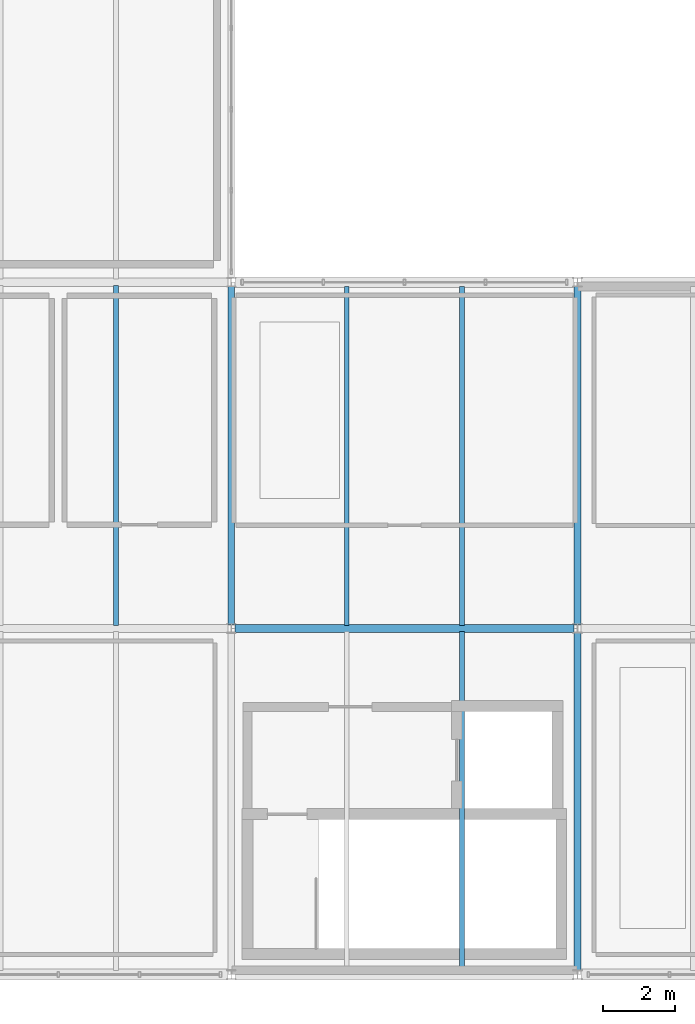
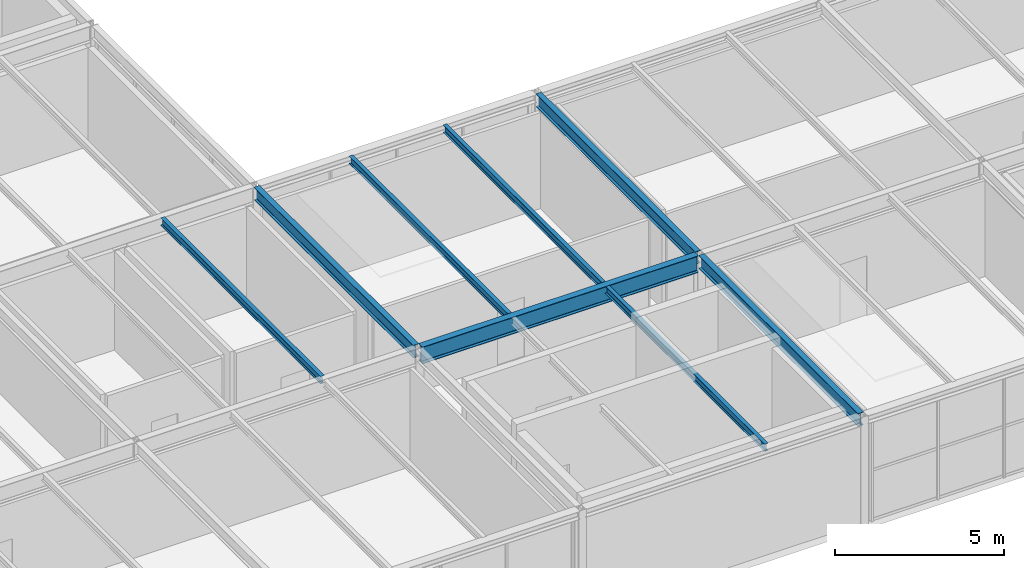
# One storey, part 11 of 33: 8 beams.
"""IFC4 building model written with IfcOpenShell, lengths in metres."""

import ifcopenshell
import ifcopenshell.guid

model = None  # the IFC model being written
_history = None  # IfcOwnerHistory: only IFC2X3 demands one
_inside = {}  # id of a spatial element -> (the spatial element, [elements in it])
_under = {}  # id of a project, library or spatial element -> (it, [spatial elements below it])
_declared = {}  # id of a project -> (the project, [libraries it declares])
_typed = {}  # id of a type object -> (the type object, [elements of that type])
_made_of = {}  # id of a material, layer set ... -> (it, [elements and type objects made of it])


def new_model(schema):
    """Start an empty IFC model of exactly this schema.

    Asked for "IFC4X3", IfcOpenShell would pick the latest addendum, in which some entities
    have other attributes; the version numbers below select the first issue.
    IFC2X3 requires an IfcOwnerHistory on every rooted entity: one is made here for all.
    """
    global model, _history
    if schema == "IFC4X3":
        model = ifcopenshell.file(schema_version=(4, 3, 0, 0))
    else:
        model = ifcopenshell.file(schema=schema)
    _inside.clear()
    _under.clear()
    _declared.clear()
    _typed.clear()
    _made_of.clear()
    _history = None
    if model.schema == "IFC2X3":
        org = make("IfcOrganization", Name="unknown")
        user = make(
            "IfcPersonAndOrganization",
            ThePerson=make("IfcPerson", FamilyName="unknown"),
            TheOrganization=org,
        )
        app = make(
            "IfcApplication",
            ApplicationDeveloper=org,
            Version="unknown",
            ApplicationFullName="unknown",
            ApplicationIdentifier="unknown",
        )
        _history = make(
            "IfcOwnerHistory",
            OwningUser=user,
            OwningApplication=app,
            ChangeAction="ADDED",
            CreationDate=0,
        )
    return model


def make(cls, **values):
    """One entity of the class cls with the attributes given. An attribute that is None is left unset."""
    return model.create_entity(
        cls, **{name: value for name, value in values.items() if value is not None}
    )


def rooted(cls, **values):
    """An entity with a GlobalId (a new one), such as an element, a storey or a relation."""
    return make(cls, GlobalId=ifcopenshell.guid.new(), OwnerHistory=_history, **values)


def si_unit(unit_type, name, prefix=None):
    """IfcSIUnit, for example si_unit("LENGTHUNIT", "METRE", prefix="MILLI")."""
    return make("IfcSIUnit", UnitType=unit_type, Prefix=prefix, Name=name)


def assignment(units):
    """IfcUnitAssignment: the units of a project."""
    return None if units is None else make("IfcUnitAssignment", Units=units)


def point(xyz):
    """IfcCartesianPoint."""
    return None if xyz is None else make("IfcCartesianPoint", Coordinates=xyz)


def direction(xyz):
    """IfcDirection."""
    return None if xyz is None else make("IfcDirection", DirectionRatios=xyz)


def frame(location, z_axis=None, x_axis=None):
    """IfcAxis2Placement3D, a coordinate frame: its origin and axes. An axis left out is left unset."""
    return make(
        "IfcAxis2Placement3D",
        Location=point(location),
        Axis=direction(z_axis),
        RefDirection=direction(x_axis),
    )


def frame_2d(location, x_axis=None):
    """IfcAxis2Placement2D, a coordinate frame in the plane: its origin and x axis."""
    return make(
        "IfcAxis2Placement2D", Location=point(location), RefDirection=direction(x_axis)
    )


def origin():
    """The frame at (0, 0, 0) with its axes left unset."""
    return frame((0.0, 0.0, 0.0))


def origin_2d():
    """The frame at (0, 0) in the plane with its x axis left unset."""
    return frame_2d((0.0, 0.0))


def place(relative_to, where):
    """IfcLocalPlacement: puts the frame where relative to a parent placement (None: the world)."""
    return make(
        "IfcLocalPlacement", PlacementRelTo=relative_to, RelativePlacement=where
    )


def context(
    kind, dimensions, precision=None, world=None, true_north=None, identifier=None
):
    """IfcGeometricRepresentationContext, for example the 3D "Model" context."""
    return make(
        "IfcGeometricRepresentationContext",
        ContextIdentifier=identifier,
        ContextType=kind,
        CoordinateSpaceDimension=dimensions,
        Precision=precision,
        WorldCoordinateSystem=world,
        TrueNorth=true_north,
    )


def subcontext(parent, identifier, kind, view, scale=None):
    """IfcGeometricRepresentationSubContext, for example "Body" below "Model"."""
    return make(
        "IfcGeometricRepresentationSubContext",
        ContextIdentifier=identifier,
        ContextType=kind,
        ParentContext=parent,
        TargetScale=scale,
        TargetView=view,
    )


def project(units=None, contexts=None):
    """IfcProject with its units and contexts."""
    return rooted(
        "IfcProject",
        Name="project",
        RepresentationContexts=contexts,
        UnitsInContext=assignment(units),
    )


def spatial(cls, under=None, at=None, **own):
    """A site, building, storey or space (cls), placed at a placement, below another one or the project."""
    s = rooted(cls, ObjectPlacement=at, **own)
    if under is not None:
        _under.setdefault(under.id(), (under, []))[1].append(s)
    return s


def profile(cls, at=None, kind="AREA", **sizes):
    """A parametric profile (cls). Its sizes go by their IFC names, for example OverallWidth=200.0."""
    return make(cls, ProfileType=kind, Position=at, **sizes)


def i_section(**sizes):
    """IfcIShapeProfileDef."""
    return profile("IfcIShapeProfileDef", **sizes)


def extrude(swept, where, along, depth):
    """IfcExtrudedAreaSolid: the profile swept, set in the frame where, extruded along a direction by depth."""
    return make(
        "IfcExtrudedAreaSolid",
        SweptArea=swept,
        Position=where,
        ExtrudedDirection=direction(along),
        Depth=depth,
    )


def shape(context_of_items, identifier, shape_type, items):
    """IfcShapeRepresentation: the items that make up one representation, for example the "Body"."""
    return make(
        "IfcShapeRepresentation",
        ContextOfItems=context_of_items,
        RepresentationIdentifier=identifier,
        RepresentationType=shape_type,
        Items=items,
    )


def material(Name=None, Category=None):
    """IfcMaterial."""
    return make("IfcMaterial", Name=Name, Category=Category)


def material_profile(
    of_material, cross_section, Name=None, Category=None, Priority=None
):
    """IfcMaterialProfile: a cross section and its material."""
    return make(
        "IfcMaterialProfile",
        Name=Name,
        Material=of_material,
        Profile=cross_section,
        Priority=Priority,
        Category=Category,
    )


def profile_set(profiles, Name=None, composite=None):
    """IfcMaterialProfileSet."""
    return make(
        "IfcMaterialProfileSet",
        Name=Name,
        MaterialProfiles=profiles,
        CompositeProfile=composite,
    )


def made_of(thing, what):
    """Note that an element or type object is made of a material, layer set ...; save() writes the relation."""
    if what is not None:
        _made_of.setdefault(what.id(), (what, []))[1].append(thing)
    return thing


def type_object(cls, material=None, **own):
    """A type object (cls), such as IfcWallType, which elements share."""
    return made_of(rooted(cls, **own), material)


def element(
    cls,
    number,
    at=None,
    inside=None,
    cuts=None,
    type_object=None,
    material=None,
    context=None,
    identifier="Body",
    shape_type=None,
    held_by="IfcProductDefinitionShape",
    body=None,
    shapes=None,
    **own,
):
    """One element of the class cls, such as IfcWall. Its Tag is "e" and its number.

    at: its placement. inside: the storey or other place that contains it. cuts: it is an
    opening in that element (IfcRelVoidsElement). A single representation is given by context,
    identifier, shape_type and body (its items); several are given by shapes. held_by: the class
    of the entity that holds the representations. save() writes the other relations.
    """
    e = rooted(cls, Tag="e%d" % number, ObjectPlacement=at, **own)
    if body is not None:
        shapes = [shape(context, identifier, shape_type, body)]
    if shapes is not None:
        e.Representation = make(held_by, Representations=shapes)
    if inside is not None:
        _inside.setdefault(inside.id(), (inside, []))[1].append(e)
    if cuts is not None:
        rooted(
            "IfcRelVoidsElement", RelatingBuildingElement=cuts, RelatedOpeningElement=e
        )
    if type_object is not None:
        _typed.setdefault(type_object.id(), (type_object, []))[1].append(e)
    return made_of(e, material)


def aggregate(whole, parts):
    """IfcRelAggregates: a whole, such as a stair, and the parts it consists of."""
    return rooted("IfcRelAggregates", RelatingObject=whole, RelatedObjects=parts)


def save(model, path):
    """Write the relations noted so far, then the file.

    IfcRelAggregates (storeys below a building ...), IfcRelContainedInSpatialStructure (elements
    in a storey), IfcRelDefinesByType, IfcRelAssociatesMaterial and IfcRelDeclares: one each for
    every whole, place, type object, material and project.
    """
    for whole, parts in _under.values():
        aggregate(whole, parts)
    for where, things in _inside.values():
        rooted(
            "IfcRelContainedInSpatialStructure",
            RelatedElements=things,
            RelatingStructure=where,
        )
    for kind, things in _typed.values():
        rooted("IfcRelDefinesByType", RelatedObjects=things, RelatingType=kind)
    for what, things in _made_of.values():
        rooted("IfcRelAssociatesMaterial", RelatedObjects=things, RelatingMaterial=what)
    for by, libraries in _declared.values():
        rooted("IfcRelDeclares", RelatingContext=by, RelatedDefinitions=libraries)
    model.write(path)


model = new_model("IFC4")

# Units and contexts
model_context = context("Model", 3, precision=1e-05, world=origin(), true_north=direction((0.0, 1.0)))
body_context = subcontext(model_context, "Body", "Model", "MODEL_VIEW")
ifc_project = project(units=[si_unit("LENGTHUNIT", "METRE"), si_unit("AREAUNIT", "SQUARE_METRE"), si_unit("VOLUMEUNIT", "CUBIC_METRE"), si_unit("PLANEANGLEUNIT", "RADIAN"), si_unit("MASSUNIT", "GRAM", prefix="KILO")], contexts=[model_context])

# Site, building, storey
site_placement = place(None, origin())
site = spatial("IfcSite", under=ifc_project, at=site_placement, CompositionType="ELEMENT")
building_placement = place(site_placement, origin())
building = spatial("IfcBuilding", under=site, at=building_placement, Name="Coralgate Yard Interchange", CompositionType="ELEMENT")
storey_placement = place(building_placement, frame((0.0, 0.0, 23.10009765625)))
storey = spatial("IfcBuildingStorey", under=building, at=storey_placement, Name="L05", CompositionType="ELEMENT", Elevation=23.10009765625)

# Beams
ifc_material = material(Name="Structural steel S355J2", Category="steel")
ifc_material_profile_1 = material_profile(ifc_material, i_section(OverallWidth=0.1904296875, OverallDepth=0.45703125, WebThickness=0.009033203125, FlangeThickness=0.014404296875, FilletRadius=0.01025390625, at=origin_2d()), Name="UB 457x191x74")
ifc_profile_set_1 = profile_set([ifc_material_profile_1], Name="Structural steel S355J2")
beam_type_1 = type_object("IfcBeamType", Name="BM-SB-2", PredefinedType="BEAM", material=ifc_profile_set_1)
beam_1_placement = place(storey_placement, frame((19.199951171875, 9.7001953125, 3.69140625), z_axis=(0.0, 1.0, 0.0), x_axis=(-1.0, 0.0, 0.0)))
element("IfcBeam", 1, at=beam_1_placement, inside=storey, type_object=beam_type_1, Name="L05 primary grid girder X2 Y1-2", PredefinedType="BEAM", context=body_context, shape_type="SweptSolid", body=[
    extrude(i_section(OverallWidth=0.1904296875, OverallDepth=0.45703125, WebThickness=0.009033203125, FlangeThickness=0.014404296875, FilletRadius=0.01025390625, at=origin_2d()), origin(), (0.0, 0.0, 1.0), 9.399658203125),
])
beam_2_placement = place(storey_placement, frame((28.800048828125, 0.10009765625, 3.69140625), z_axis=(0.0, 1.0, 0.0), x_axis=(-1.0, 0.0, 0.0)))
element("IfcBeam", 2, at=beam_2_placement, inside=storey, type_object=beam_type_1, Name="L05 primary grid girder X3 Y0-1", PredefinedType="BEAM", context=body_context, shape_type="SweptSolid", body=[
    extrude(i_section(OverallWidth=0.1904296875, OverallDepth=0.45703125, WebThickness=0.009033203125, FlangeThickness=0.014404296875, FilletRadius=0.01025390625, at=origin_2d()), origin(), (0.0, 0.0, 1.0), 9.39990234375),
])
beam_3_placement = place(storey_placement, frame((28.800048828125, 9.7001953125, 3.69140625), z_axis=(0.0, 1.0, 0.0), x_axis=(-1.0, 0.0, 0.0)))
element("IfcBeam", 3, at=beam_3_placement, inside=storey, type_object=beam_type_1, Name="L05 primary grid girder X3 Y1-2", PredefinedType="BEAM", context=body_context, shape_type="SweptSolid", body=[
    extrude(i_section(OverallWidth=0.1904296875, OverallDepth=0.45703125, WebThickness=0.009033203125, FlangeThickness=0.014404296875, FilletRadius=0.01025390625, at=origin_2d()), origin(), (0.0, 0.0, 1.0), 9.399658203125),
])
ifc_material_profile_2 = material_profile(ifc_material, i_section(OverallWidth=0.228271484375, OverallDepth=0.607666015625, WebThickness=0.010986328125, FlangeThickness=0.017333984375, FilletRadius=0.0126953125, at=origin_2d()), Name="UB 610x229x113")
ifc_profile_set_2 = profile_set([ifc_material_profile_2], Name="Structural steel S355J2")
beam_type_2 = type_object("IfcBeamType", Name="BM-SG-5", PredefinedType="BEAM", material=ifc_profile_set_2)
beam_4_placement = place(storey_placement, frame((19.298095703125, 9.60009765625, 3.6162109375), z_axis=(1.0, 0.0, 0.0), x_axis=(0.0, 1.0, 0.0)))
element("IfcBeam", 4, at=beam_4_placement, inside=storey, type_object=beam_type_2, Name="L05 primary grid beam Y1 X2-3", PredefinedType="BEAM", context=body_context, shape_type="SweptSolid", body=[
    extrude(i_section(OverallWidth=0.228271484375, OverallDepth=0.607666015625, WebThickness=0.010986328125, FlangeThickness=0.017333984375, FilletRadius=0.0126953125, at=origin_2d()), origin(), (0.0, 0.0, 1.0), 9.40380859375),
])
ifc_material_profile_3 = material_profile(ifc_material, i_section(OverallWidth=0.135009765625, OverallDepth=0.27001953125, WebThickness=0.006591796875, FlangeThickness=0.01025390625, FilletRadius=0.014892578125, at=origin_2d()), Name="IPE 270")
ifc_profile_set_3 = profile_set([ifc_material_profile_3], Name="Structural steel S355J2")
beam_type_3 = type_object("IfcBeamType", Name="BM-SJ-3", PredefinedType="JOIST", material=ifc_profile_set_3)
beam_5_placement = place(storey_placement, frame((16.0, 9.68408203125, 3.784912109375), z_axis=(0.0, 1.0, 0.0), x_axis=(-1.0, 0.0, 0.0)))
element("IfcBeam", 5, at=beam_5_placement, inside=storey, type_object=beam_type_3, Name="L05 composite floor joist 1-1-2", PredefinedType="JOIST", context=body_context, shape_type="SweptSolid", body=[
    extrude(i_section(OverallWidth=0.135009765625, OverallDepth=0.27001953125, WebThickness=0.006591796875, FlangeThickness=0.01025390625, FilletRadius=0.014892578125, at=origin_2d()), origin(), (0.0, 0.0, 1.0), 9.431884765625),
])
beam_6_placement = place(storey_placement, frame((25.60009765625, 0.1201171875, 3.784912109375), z_axis=(0.0, 1.0, 0.0), x_axis=(-1.0, 0.0, 0.0)))
element("IfcBeam", 6, at=beam_6_placement, inside=storey, type_object=beam_type_3, Name="L05 composite floor joist 2-0-2", PredefinedType="JOIST", context=body_context, shape_type="SweptSolid", body=[
    extrude(i_section(OverallWidth=0.135009765625, OverallDepth=0.27001953125, WebThickness=0.006591796875, FlangeThickness=0.01025390625, FilletRadius=0.014892578125, at=origin_2d()), origin(), (0.0, 0.0, 1.0), 9.395751953125),
])
for number, where, z_axis, x_axis, name in (
    (7, (22.39990234375, 9.68408203125, 3.784912109375), (0.0, 1.0, 0.0), (-1.0, 0.0, 0.0), "L05 composite floor joist 2-1-1"),
    (8, (25.60009765625, 9.68408203125, 3.784912109375), (0.0, 1.0, 0.0), (-1.0, 0.0, 0.0), "L05 composite floor joist 2-1-2"),
):
    element("IfcBeam", number, at=place(storey_placement, frame(where, z_axis=z_axis, x_axis=x_axis)), inside=storey, type_object=beam_type_3, Name=name, PredefinedType="JOIST", context=body_context, shape_type="SweptSolid", body=[
        extrude(i_section(OverallWidth=0.135009765625, OverallDepth=0.27001953125, WebThickness=0.006591796875, FlangeThickness=0.01025390625, FilletRadius=0.014892578125, at=origin_2d()), origin(), (0.0, 0.0, 1.0), 9.39599609375),
    ])

save(model, "model.ifc")
